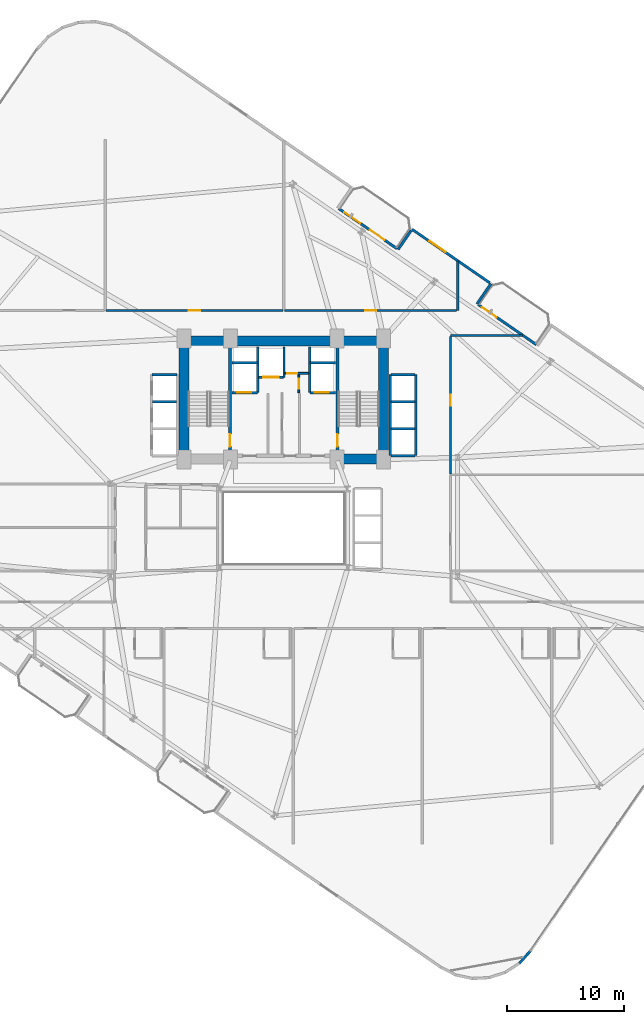
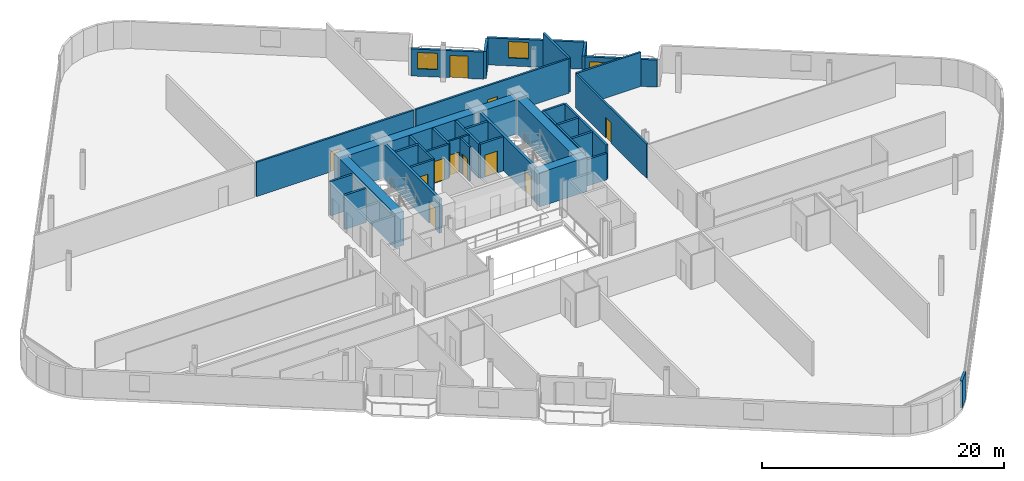
# One storey, part 21 of 26: 35 walls, 12 doors, 2 windows, 14 openings.
"""IFC4 building model written with IfcOpenShell, lengths in metres."""

import ifcopenshell
import ifcopenshell.guid

model = None  # the IFC model being written
_history = None  # IfcOwnerHistory: only IFC2X3 demands one
_inside = {}  # id of a spatial element -> (the spatial element, [elements in it])
_under = {}  # id of a project, library or spatial element -> (it, [spatial elements below it])
_declared = {}  # id of a project -> (the project, [libraries it declares])
_typed = {}  # id of a type object -> (the type object, [elements of that type])
_made_of = {}  # id of a material, layer set ... -> (it, [elements and type objects made of it])


def new_model(schema):
    """Start an empty IFC model of exactly this schema.

    Asked for "IFC4X3", IfcOpenShell would pick the latest addendum, in which some entities
    have other attributes; the version numbers below select the first issue.
    IFC2X3 requires an IfcOwnerHistory on every rooted entity: one is made here for all.
    """
    global model, _history
    if schema == "IFC4X3":
        model = ifcopenshell.file(schema_version=(4, 3, 0, 0))
    else:
        model = ifcopenshell.file(schema=schema)
    _inside.clear()
    _under.clear()
    _declared.clear()
    _typed.clear()
    _made_of.clear()
    _history = None
    if model.schema == "IFC2X3":
        org = make("IfcOrganization", Name="unknown")
        user = make(
            "IfcPersonAndOrganization",
            ThePerson=make("IfcPerson", FamilyName="unknown"),
            TheOrganization=org,
        )
        app = make(
            "IfcApplication",
            ApplicationDeveloper=org,
            Version="unknown",
            ApplicationFullName="unknown",
            ApplicationIdentifier="unknown",
        )
        _history = make(
            "IfcOwnerHistory",
            OwningUser=user,
            OwningApplication=app,
            ChangeAction="ADDED",
            CreationDate=0,
        )
    return model


def make(cls, **values):
    """One entity of the class cls with the attributes given. An attribute that is None is left unset."""
    return model.create_entity(
        cls, **{name: value for name, value in values.items() if value is not None}
    )


def rooted(cls, **values):
    """An entity with a GlobalId (a new one), such as an element, a storey or a relation."""
    return make(cls, GlobalId=ifcopenshell.guid.new(), OwnerHistory=_history, **values)


def si_unit(unit_type, name, prefix=None):
    """IfcSIUnit, for example si_unit("LENGTHUNIT", "METRE", prefix="MILLI")."""
    return make("IfcSIUnit", UnitType=unit_type, Prefix=prefix, Name=name)


def assignment(units):
    """IfcUnitAssignment: the units of a project."""
    return None if units is None else make("IfcUnitAssignment", Units=units)


def point(xyz):
    """IfcCartesianPoint."""
    return None if xyz is None else make("IfcCartesianPoint", Coordinates=xyz)


def direction(xyz):
    """IfcDirection."""
    return None if xyz is None else make("IfcDirection", DirectionRatios=xyz)


def frame(location, z_axis=None, x_axis=None):
    """IfcAxis2Placement3D, a coordinate frame: its origin and axes. An axis left out is left unset."""
    return make(
        "IfcAxis2Placement3D",
        Location=point(location),
        Axis=direction(z_axis),
        RefDirection=direction(x_axis),
    )


def frame_2d(location, x_axis=None):
    """IfcAxis2Placement2D, a coordinate frame in the plane: its origin and x axis."""
    return make(
        "IfcAxis2Placement2D", Location=point(location), RefDirection=direction(x_axis)
    )


def origin():
    """The frame at (0, 0, 0) with its axes left unset."""
    return frame((0.0, 0.0, 0.0))


def place(relative_to, where):
    """IfcLocalPlacement: puts the frame where relative to a parent placement (None: the world)."""
    return make(
        "IfcLocalPlacement", PlacementRelTo=relative_to, RelativePlacement=where
    )


def context(
    kind, dimensions, precision=None, world=None, true_north=None, identifier=None
):
    """IfcGeometricRepresentationContext, for example the 3D "Model" context."""
    return make(
        "IfcGeometricRepresentationContext",
        ContextIdentifier=identifier,
        ContextType=kind,
        CoordinateSpaceDimension=dimensions,
        Precision=precision,
        WorldCoordinateSystem=world,
        TrueNorth=true_north,
    )


def subcontext(parent, identifier, kind, view, scale=None):
    """IfcGeometricRepresentationSubContext, for example "Body" below "Model"."""
    return make(
        "IfcGeometricRepresentationSubContext",
        ContextIdentifier=identifier,
        ContextType=kind,
        ParentContext=parent,
        TargetScale=scale,
        TargetView=view,
    )


def project(units=None, contexts=None):
    """IfcProject with its units and contexts."""
    return rooted(
        "IfcProject",
        Name="project",
        RepresentationContexts=contexts,
        UnitsInContext=assignment(units),
    )


def spatial(cls, under=None, at=None, **own):
    """A site, building, storey or space (cls), placed at a placement, below another one or the project."""
    s = rooted(cls, ObjectPlacement=at, **own)
    if under is not None:
        _under.setdefault(under.id(), (under, []))[1].append(s)
    return s


def profile(cls, at=None, kind="AREA", **sizes):
    """A parametric profile (cls). Its sizes go by their IFC names, for example OverallWidth=200.0."""
    return make(cls, ProfileType=kind, Position=at, **sizes)


def rectangle(**sizes):
    """IfcRectangleProfileDef."""
    return profile("IfcRectangleProfileDef", **sizes)


def extrude(swept, where, along, depth):
    """IfcExtrudedAreaSolid: the profile swept, set in the frame where, extruded along a direction by depth."""
    return make(
        "IfcExtrudedAreaSolid",
        SweptArea=swept,
        Position=where,
        ExtrudedDirection=direction(along),
        Depth=depth,
    )


def shape(context_of_items, identifier, shape_type, items):
    """IfcShapeRepresentation: the items that make up one representation, for example the "Body"."""
    return make(
        "IfcShapeRepresentation",
        ContextOfItems=context_of_items,
        RepresentationIdentifier=identifier,
        RepresentationType=shape_type,
        Items=items,
    )


def material(Name=None, Category=None):
    """IfcMaterial."""
    return make("IfcMaterial", Name=Name, Category=Category)


def layer(
    of_material, thickness, ventilated=None, Name=None, Category=None, Priority=None
):
    """IfcMaterialLayer: one layer of a wall or slab, of a material (None: an air gap)."""
    return make(
        "IfcMaterialLayer",
        Material=of_material,
        LayerThickness=thickness,
        IsVentilated=ventilated,
        Name=Name,
        Category=Category,
        Priority=Priority,
    )


def layer_set(layers, Name=None):
    """IfcMaterialLayerSet."""
    return make("IfcMaterialLayerSet", MaterialLayers=layers, LayerSetName=Name)


def made_of(thing, what):
    """Note that an element or type object is made of a material, layer set ...; save() writes the relation."""
    if what is not None:
        _made_of.setdefault(what.id(), (what, []))[1].append(thing)
    return thing


def type_object(cls, material=None, **own):
    """A type object (cls), such as IfcWallType, which elements share."""
    return made_of(rooted(cls, **own), material)


def element(
    cls,
    number,
    at=None,
    inside=None,
    cuts=None,
    type_object=None,
    material=None,
    context=None,
    identifier="Body",
    shape_type=None,
    held_by="IfcProductDefinitionShape",
    body=None,
    shapes=None,
    **own,
):
    """One element of the class cls, such as IfcWall. Its Tag is "e" and its number.

    at: its placement. inside: the storey or other place that contains it. cuts: it is an
    opening in that element (IfcRelVoidsElement). A single representation is given by context,
    identifier, shape_type and body (its items); several are given by shapes. held_by: the class
    of the entity that holds the representations. save() writes the other relations.
    """
    e = rooted(cls, Tag="e%d" % number, ObjectPlacement=at, **own)
    if body is not None:
        shapes = [shape(context, identifier, shape_type, body)]
    if shapes is not None:
        e.Representation = make(held_by, Representations=shapes)
    if inside is not None:
        _inside.setdefault(inside.id(), (inside, []))[1].append(e)
    if cuts is not None:
        rooted(
            "IfcRelVoidsElement", RelatingBuildingElement=cuts, RelatedOpeningElement=e
        )
    if type_object is not None:
        _typed.setdefault(type_object.id(), (type_object, []))[1].append(e)
    return made_of(e, material)


def fill(opening, filler):
    """IfcRelFillsElement: the door or window that sits in an opening."""
    return rooted(
        "IfcRelFillsElement",
        RelatingOpeningElement=opening,
        RelatedBuildingElement=filler,
    )


def aggregate(whole, parts):
    """IfcRelAggregates: a whole, such as a stair, and the parts it consists of."""
    return rooted("IfcRelAggregates", RelatingObject=whole, RelatedObjects=parts)


def save(model, path):
    """Write the relations noted so far, then the file.

    IfcRelAggregates (storeys below a building ...), IfcRelContainedInSpatialStructure (elements
    in a storey), IfcRelDefinesByType, IfcRelAssociatesMaterial and IfcRelDeclares: one each for
    every whole, place, type object, material and project.
    """
    for whole, parts in _under.values():
        aggregate(whole, parts)
    for where, things in _inside.values():
        rooted(
            "IfcRelContainedInSpatialStructure",
            RelatedElements=things,
            RelatingStructure=where,
        )
    for kind, things in _typed.values():
        rooted("IfcRelDefinesByType", RelatedObjects=things, RelatingType=kind)
    for what, things in _made_of.values():
        rooted("IfcRelAssociatesMaterial", RelatedObjects=things, RelatingMaterial=what)
    for by, libraries in _declared.values():
        rooted("IfcRelDeclares", RelatingContext=by, RelatedDefinitions=libraries)
    model.write(path)


model = new_model("IFC4")

# Units and contexts
model_context = context("Model", 3, precision=1e-05, world=origin(), true_north=direction((0.0, 1.0)))
body_context = subcontext(model_context, "Body", "Model", "MODEL_VIEW")
ifc_project = project(units=[si_unit("LENGTHUNIT", "METRE"), si_unit("AREAUNIT", "SQUARE_METRE"), si_unit("VOLUMEUNIT", "CUBIC_METRE"), si_unit("PLANEANGLEUNIT", "RADIAN"), si_unit("MASSUNIT", "GRAM", prefix="KILO")], contexts=[model_context])

# Site, building, storey
site_placement = place(None, origin())
site = spatial("IfcSite", under=ifc_project, at=site_placement, CompositionType="ELEMENT")
building_placement = place(site_placement, origin())
building = spatial("IfcBuilding", under=site, at=building_placement, Name="Varnelok Gate Tower", CompositionType="ELEMENT")
storey_placement = place(building_placement, frame((0.0, 0.0, 45.5)))
storey = spatial("IfcBuildingStorey", under=building, at=storey_placement, Name="L10", CompositionType="ELEMENT", Elevation=45.5)

# Wall, openings, door, window
ifc_material_1 = material(Name="Concrete C45/55", Category="concrete")
ifc_layer_1 = layer(ifc_material_1, 0.219970703125)
ifc_layer_set_1 = layer_set([ifc_layer_1], Name="Concrete C45/55")
wall_type_1 = type_object("IfcWallType", Name="EW-BALC-220", PredefinedType="SOLIDWALL", material=ifc_layer_set_1)
wall_1_placement = place(storey_placement, frame((43.898193359375, 50.1015625, 0.0), z_axis=(0.0, 0.0, 1.0), x_axis=(0.823534636215, -0.567265989598, 0.0)))
wall_1 = element("IfcWall", 1, at=wall_1_placement, inside=storey, type_object=wall_type_1, Name="L10 North Terrace Envelope Wall 3", PredefinedType="SOLIDWALL", context=body_context, shape_type="SweptSolid", body=[
    extrude(rectangle(XDim=6.0, YDim=0.219970703125, at=frame_2d((3.0, 0.0))), origin(), (0.0, 0.0, 1.0), 2.72998046875),
])
opening_1_placement = place(wall_1_placement, frame((3.2119140625, 0.0, 0.0)))
opening_1 = element("IfcOpeningElement", 2, at=opening_1_placement, cuts=wall_1, Name="Opening BD-1", PredefinedType="OPENING", context=body_context, shape_type="SweptSolid", body=[
    extrude(rectangle(XDim=1.5, YDim=2.25, at=frame_2d((0.75, 1.125))), frame((0.0, 0.119873046875, 0.0), z_axis=(0.0, -1.0, 0.0), x_axis=(1.0, 0.0, 0.0)), (0.0, 0.0, 1.0), 0.239990234375),
])
opening_2_placement = place(wall_1_placement, frame((0.550048828125, 0.0, 0.75)))
opening_2 = element("IfcOpeningElement", 3, at=opening_2_placement, cuts=wall_1, Name="Opening WN3", PredefinedType="OPENING", context=body_context, shape_type="SweptSolid", body=[
    extrude(rectangle(XDim=1.64990234375, YDim=1.64990234375, at=frame_2d((0.824951171875, 0.824951171875))), frame((0.0, 0.119873046875, 0.0), z_axis=(0.0, -1.0, 0.0), x_axis=(1.0, 0.0, 0.0)), (0.0, 0.0, 1.0), 0.239990234375),
])
ifc_material_2 = material(Name="Anodized Aluminum Alloy 6063-T6", Category="aluminium")
door_type_1 = type_object("IfcDoorType", Name="DR-EXT-BALC1500", OperationType="NOTDEFINED", PredefinedType="DOOR", material=ifc_material_2)
door_1_placement = place(opening_1_placement, origin())
door_1 = element("IfcDoor", 4, at=door_1_placement, inside=storey, type_object=door_type_1, Name="L10 North Balcony Glazed Door 3", OperationType="SINGLE_SWING_RIGHT", OverallHeight=2.25, OverallWidth=1.5, PredefinedType="DOOR", context=body_context, shape_type="SweptSolid", body=[
    extrude(rectangle(XDim=1.5, YDim=2.25, at=frame_2d((0.75, 1.125))), frame((0.0, 0.02490234375, 0.0), z_axis=(0.0, -1.0, 0.0), x_axis=(1.0, 0.0, 0.0)), (0.0, 0.0, 1.0), 0.050048828125),
])
fill(opening_1, door_1)
ifc_material_3 = material(Name="Low-E Laminated Double Glazing IGU", Category="glass")
window_type = type_object("IfcWindowType", Name="WN-HTL-1650", PartitioningType="SINGLE_PANEL", PredefinedType="WINDOW", material=ifc_material_3)
window_1_placement = place(opening_2_placement, origin())
window_1 = element("IfcWindow", 5, at=window_1_placement, inside=storey, type_object=window_type, Name="L10 North Vision Window 3.1", OverallHeight=1.64990234375, OverallWidth=1.64990234375, PartitioningType="SINGLE_PANEL", PredefinedType="WINDOW", context=body_context, shape_type="SweptSolid", body=[
    extrude(rectangle(XDim=1.64990234375, YDim=1.64990234375, at=frame_2d((0.824951171875, 0.824951171875))), frame((0.0, 0.030029296875, 0.0), z_axis=(0.0, -1.0, 0.0), x_axis=(1.0, 0.0, 0.0)), (0.0, 0.0, 1.0), 0.06005859375),
])
fill(opening_2, window_1)

# Wall, opening, door
wall_2_placement = place(storey_placement, frame((55.757080078125, 41.932861328125, 0.0), z_axis=(0.0, 0.0, 1.0), x_axis=(0.823534636215, -0.567265989598, 0.0)))
wall_2 = element("IfcWall", 6, at=wall_2_placement, inside=storey, type_object=wall_type_1, Name="L10 North Terrace Envelope Wall 4", PredefinedType="SOLIDWALL", context=body_context, shape_type="SweptSolid", body=[
    extrude(rectangle(XDim=6.0, YDim=0.219970703125, at=frame_2d((3.0, 0.0))), origin(), (0.0, 0.0, 1.0), 2.72998046875),
])
opening_3_placement = place(wall_2_placement, frame((0.39990234375, 0.0, 0.0)))
opening_3 = element("IfcOpeningElement", 7, at=opening_3_placement, cuts=wall_2, Name="Opening BD-1", PredefinedType="OPENING", context=body_context, shape_type="SweptSolid", body=[
    extrude(rectangle(XDim=1.5, YDim=2.25, at=frame_2d((0.75, 1.125))), frame((0.0, 0.119873046875, 0.0), z_axis=(0.0, -1.0, 0.0), x_axis=(1.0, 0.0, 0.0)), (0.0, 0.0, 1.0), 0.239990234375),
])
door_2_placement = place(opening_3_placement, origin())
door_2 = element("IfcDoor", 8, at=door_2_placement, inside=storey, type_object=door_type_1, Name="L10 North Balcony Glazed Door 4", OperationType="SINGLE_SWING_LEFT", OverallHeight=2.25, OverallWidth=1.5, PredefinedType="DOOR", context=body_context, shape_type="SweptSolid", body=[
    extrude(rectangle(XDim=1.5, YDim=2.25, at=frame_2d((0.75, 1.125))), frame((0.0, 0.02490234375, 0.0), z_axis=(0.0, -1.0, 0.0), x_axis=(1.0, 0.0, 0.0)), (0.0, 0.0, 1.0), 0.050048828125),
])
fill(opening_3, door_2)

# Walls
wall_3_placement = place(storey_placement, frame((59.26611328125, -14.13525390625, 0.0), z_axis=(0.0, 0.0, 1.0), x_axis=(0.669866433955, 0.742481623113, 0.0)))
element("IfcWall", 9, at=wall_3_placement, inside=storey, type_object=wall_type_1, Name="L10 Perimeter Facade Closure Wall 19", PredefinedType="SOLIDWALL", context=body_context, shape_type="SweptSolid", body=[
    extrude(rectangle(XDim=1.4052734375, YDim=0.219970703125, at=frame_2d((0.70263671875, 0.0))), origin(), (0.0, 0.0, 1.0), 2.72998046875),
])
wall_4_placement = place(storey_placement, frame((55.652587890625, 41.99267578125, 0.0), z_axis=(0.0, 0.0, 1.0), x_axis=(0.567273696173, 0.823529327729, 0.0)))
element("IfcWall", 10, at=wall_4_placement, inside=storey, type_object=wall_type_1, Name="L10 Perimeter Facade Closure Wall 28", PredefinedType="SOLIDWALL", context=body_context, shape_type="SweptSolid", body=[
    extrude(rectangle(XDim=2.099853515625, YDim=0.219970703125, at=frame_2d((1.0498046875, 0.0))), origin(), (0.0, 0.0, 1.0), 2.72998046875),
])

# Wall, opening, window
wall_5_placement = place(storey_placement, frame((56.740966796875, 43.79296875, 0.0), z_axis=(0.0, 0.0, 1.0), x_axis=(-0.823530942962, 0.56727135128, 0.0)))
wall_5 = element("IfcWall", 11, at=wall_5_placement, inside=storey, type_object=wall_type_1, Name="L10 Perimeter Facade Closure Wall 29", PredefinedType="SOLIDWALL", context=body_context, shape_type="SweptSolid", body=[
    extrude(rectangle(XDim=8.03515625, YDim=0.219970703125, at=frame_2d((4.017578125, 0.0))), origin(), (0.0, 0.0, 1.0), 2.72998046875),
])
opening_4_placement = place(wall_5_placement, frame((4.59716796875, 0.0, 0.800048828125)))
opening_4 = element("IfcOpeningElement", 12, at=opening_4_placement, cuts=wall_5, Name="Opening WN3", PredefinedType="OPENING", context=body_context, shape_type="SweptSolid", body=[
    extrude(rectangle(XDim=1.64990234375, YDim=1.64990234375, at=frame_2d((0.824951171875, 0.824951171875))), frame((0.0, 0.119873046875, 0.0), z_axis=(0.0, -1.0, 0.0), x_axis=(1.0, 0.0, 0.0)), (0.0, 0.0, 1.0), 0.239990234375),
])
window_2_placement = place(opening_4_placement, origin())
window_2 = element("IfcWindow", 13, at=window_2_placement, inside=storey, type_object=window_type, Name="L10 Perimeter Vision Window 29", OverallHeight=1.64990234375, OverallWidth=1.64990234375, PartitioningType="SINGLE_PANEL", PredefinedType="WINDOW", context=body_context, shape_type="SweptSolid", body=[
    extrude(rectangle(XDim=1.64990234375, YDim=1.64990234375, at=frame_2d((0.824951171875, 0.824951171875))), frame((0.0, 0.030029296875, 0.0), z_axis=(0.0, -1.0, 0.0), x_axis=(1.0, 0.0, 0.0)), (0.0, 0.0, 1.0), 0.06005859375),
])
fill(opening_4, window_2)

# Wall
wall_6_placement = place(storey_placement, frame((50.052978515625, 48.248046875, 0.0), z_axis=(0.0, 0.0, 1.0), x_axis=(-0.567273565974, -0.823529417415, 0.0)))
element("IfcWall", 14, at=wall_6_placement, inside=storey, type_object=wall_type_1, Name="L10 Perimeter Facade Closure Wall 30", PredefinedType="SOLIDWALL", context=body_context, shape_type="SweptSolid", body=[
    extrude(rectangle(XDim=1.97509765625, YDim=0.219970703125, at=frame_2d((0.987548828125, 0.0))), origin(), (0.0, 0.0, 1.0), 2.72998046875),
])

# Wall, opening, door
ifc_material_4 = material(Name="Gypsum Plasterboard Acoustic Partition", Category="gypsum")
ifc_layer_2 = layer(ifc_material_4, 0.179931640625)
ifc_layer_set_2 = layer_set([ifc_layer_2], Name="Gypsum Plasterboard Acoustic Partition")
wall_type_2 = type_object("IfcWallType", Name="PW-CORR-180", PredefinedType="PARTITIONING", material=ifc_layer_set_2)
wall_7_placement = place(storey_placement, frame((24.080078125, 41.429931640625, 0.0), z_axis=(0.0, 0.0, 1.0), x_axis=(1.0, 0.0, 0.0)))
wall_7 = element("IfcWall", 15, at=wall_7_placement, inside=storey, type_object=wall_type_2, Name="Interior Partition", PredefinedType="PARTITIONING", context=body_context, shape_type="SweptSolid", body=[
    extrude(rectangle(XDim=15.0400390625, YDim=0.179931640625, at=frame_2d((7.52001953125, 0.0))), origin(), (0.0, 0.0, 1.0), 3.449951171875),
])
opening_5_placement = place(wall_7_placement, frame((7.044921875, 0.0, 0.0)))
opening_5 = element("IfcOpeningElement", 16, at=opening_5_placement, cuts=wall_7, Name="Opening D-I2", PredefinedType="OPENING", context=body_context, shape_type="SweptSolid", body=[
    extrude(rectangle(XDim=0.949951171875, YDim=2.050048828125, at=frame_2d((0.47509765625, 1.02490234375))), frame((0.0, 0.099853515625, 0.0), z_axis=(0.0, -1.0, 0.0), x_axis=(1.0, 0.0, 0.0)), (0.0, 0.0, 1.0), 0.199951171875),
])
ifc_material_5 = material(Name="Engineered Hardwood Timber", Category="wood")
door_type_2 = type_object("IfcDoorType", Name="DR-INT-950", OperationType="NOTDEFINED", PredefinedType="DOOR", material=ifc_material_5)
door_3_placement = place(opening_5_placement, origin())
door_3 = element("IfcDoor", 17, at=door_3_placement, inside=storey, type_object=door_type_2, Name="L10 Executive Business Office 2 Door", OperationType="SINGLE_SWING_LEFT", OverallHeight=2.050048828125, OverallWidth=0.949951171875, PredefinedType="DOOR", context=body_context, shape_type="SweptSolid", body=[
    extrude(rectangle(XDim=0.949951171875, YDim=2.050048828125, at=frame_2d((0.47509765625, 1.02490234375))), frame((0.0, 0.02490234375, 0.0), z_axis=(0.0, -1.0, 0.0), x_axis=(1.0, 0.0, 0.0)), (0.0, 0.0, 1.0), 0.050048828125),
])
fill(opening_5, door_3)

wall_8_placement = place(storey_placement, frame((39.280029296875, 41.429931640625, 0.0), z_axis=(0.0, 0.0, 1.0), x_axis=(1.0, 0.0, 0.0)))
wall_8 = element("IfcWall", 18, at=wall_8_placement, inside=storey, type_object=wall_type_2, Name="Interior Partition", PredefinedType="PARTITIONING", context=body_context, shape_type="SweptSolid", body=[
    extrude(rectangle(XDim=14.639892578125, YDim=0.179931640625, at=frame_2d((7.31982421875, 0.0))), origin(), (0.0, 0.0, 1.0), 3.449951171875),
])
opening_6_placement = place(wall_8_placement, frame((6.844970703125, 0.0, 0.0)))
opening_6 = element("IfcOpeningElement", 19, at=opening_6_placement, cuts=wall_8, Name="Opening D-I2", PredefinedType="OPENING", context=body_context, shape_type="SweptSolid", body=[
    extrude(rectangle(XDim=0.949951171875, YDim=2.050048828125, at=frame_2d((0.47509765625, 1.02490234375))), frame((0.0, 0.099853515625, 0.0), z_axis=(0.0, -1.0, 0.0), x_axis=(1.0, 0.0, 0.0)), (0.0, 0.0, 1.0), 0.199951171875),
])
door_4_placement = place(opening_6_placement, origin())
door_4 = element("IfcDoor", 20, at=door_4_placement, inside=storey, type_object=door_type_2, Name="L10 Hotel Business Center Door", OperationType="SINGLE_SWING_LEFT", OverallHeight=2.050048828125, OverallWidth=0.949951171875, PredefinedType="DOOR", context=body_context, shape_type="SweptSolid", body=[
    extrude(rectangle(XDim=0.949951171875, YDim=2.050048828125, at=frame_2d((0.47509765625, 1.02490234375))), frame((0.0, 0.02490234375, 0.0), z_axis=(0.0, -1.0, 0.0), x_axis=(1.0, 0.0, 0.0)), (0.0, 0.0, 1.0), 0.050048828125),
])
fill(opening_6, door_4)

wall_9_placement = place(storey_placement, frame((53.389892578125, 27.530029296875, 0.0), z_axis=(0.0, 0.0, 1.0), x_axis=(0.0, 1.0, 0.0)))
wall_9 = element("IfcWall", 21, at=wall_9_placement, inside=storey, type_object=wall_type_2, Name="Interior Partition", PredefinedType="PARTITIONING", context=body_context, shape_type="SweptSolid", body=[
    extrude(rectangle(XDim=11.669921875, YDim=0.179931640625, at=frame_2d((5.8349609375, 0.0))), origin(), (0.0, 0.0, 1.0), 3.449951171875),
])
opening_7_placement = place(wall_9_placement, frame((5.800048828125, 0.0, 0.0)))
opening_7 = element("IfcOpeningElement", 22, at=opening_7_placement, cuts=wall_9, Name="Opening D-I3", PredefinedType="OPENING", context=body_context, shape_type="SweptSolid", body=[
    extrude(rectangle(XDim=0.919921875, YDim=2.050048828125, at=frame_2d((0.4599609375, 1.02490234375))), frame((0.0, 0.099853515625, 0.0), z_axis=(0.0, -1.0, 0.0), x_axis=(1.0, 0.0, 0.0)), (0.0, 0.0, 1.0), 0.199951171875),
])
door_type_3 = type_object("IfcDoorType", Name="DR-INT-920", OperationType="NOTDEFINED", PredefinedType="DOOR", material=ifc_material_5)
door_5_placement = place(opening_7_placement, origin())
door_5 = element("IfcDoor", 23, at=door_5_placement, inside=storey, type_object=door_type_3, Name="L10 East Suite 2 Door", OperationType="SINGLE_SWING_RIGHT", OverallHeight=2.050048828125, OverallWidth=0.919921875, PredefinedType="DOOR", context=body_context, shape_type="SweptSolid", body=[
    extrude(rectangle(XDim=0.919921875, YDim=2.050048828125, at=frame_2d((0.4599609375, 1.02490234375))), frame((0.0, 0.02490234375, 0.0), z_axis=(0.0, -1.0, 0.0), x_axis=(1.0, 0.0, 0.0)), (0.0, 0.0, 1.0), 0.050048828125),
])
fill(opening_7, door_5)

# Wall
wall_10_placement = place(storey_placement, frame((53.389892578125, 39.300048828125, 0.0), z_axis=(0.0, 0.0, 1.0), x_axis=(1.0, 0.0, 0.0)))
element("IfcWall", 24, at=wall_10_placement, inside=storey, type_object=wall_type_2, Name="Interior Partition", PredefinedType="PARTITIONING", context=body_context, shape_type="SweptSolid", body=[
    extrude(rectangle(XDim=6.136474609375, YDim=0.179931640625, at=frame_2d((3.068359375, 0.0))), origin(), (0.0, 0.0, 1.0), 3.449951171875),
])

# Wall, opening, door
ifc_layer_3 = layer(ifc_material_4, 0.14990234375)
ifc_layer_set_3 = layer_set([ifc_layer_3], Name="Gypsum Plasterboard Acoustic Partition")
wall_type_3 = type_object("IfcWallType", Name="PW-PART-150", PredefinedType="PARTITIONING", material=ifc_layer_set_3)
wall_11_placement = place(storey_placement, frame((39.300048828125, 36.080078125, 0.0), z_axis=(0.0, 0.0, 1.0), x_axis=(1.0, 0.0, 0.0)))
wall_11 = element("IfcWall", 25, at=wall_11_placement, inside=storey, type_object=wall_type_3, Name="L10 Electrical Closet South Wall", PredefinedType="PARTITIONING", context=body_context, shape_type="SweptSolid", body=[
    extrude(rectangle(XDim=2.02001953125, YDim=0.14990234375, at=frame_2d((1.010009765625, 0.0))), origin(), (0.0, 0.0, 1.0), 3.449951171875),
])
opening_8_placement = place(wall_11_placement, frame((0.179931640625, 0.0, 0.0)))
opening_8 = element("IfcOpeningElement", 26, at=opening_8_placement, cuts=wall_11, Name="Opening D-RS", PredefinedType="OPENING", context=body_context, shape_type="SweptSolid", body=[
    extrude(rectangle(XDim=0.85009765625, YDim=2.050048828125, at=frame_2d((0.425048828125, 1.02490234375))), frame((0.0, 0.0849609375, 0.0), z_axis=(0.0, -1.0, 0.0), x_axis=(1.0, 0.0, 0.0)), (0.0, 0.0, 1.0), 0.169921875),
])
ifc_material_6 = material(Name="Galvanized Steel Grade S350GD", Category="steel")
door_type_4 = type_object("IfcDoorType", Name="DR-RISER-850", OperationType="NOTDEFINED", PredefinedType="DOOR", material=ifc_material_6)
door_6_placement = place(opening_8_placement, origin())
door_6 = element("IfcDoor", 27, at=door_6_placement, inside=storey, type_object=door_type_4, Name="L10 Electrical Closet Door", OperationType="SINGLE_SWING_RIGHT", OverallHeight=2.050048828125, OverallWidth=0.85009765625, PredefinedType="DOOR", context=body_context, shape_type="SweptSolid", body=[
    extrude(rectangle(XDim=0.85009765625, YDim=2.050048828125, at=frame_2d((0.425048828125, 1.02490234375))), frame((0.0, 0.02490234375, 0.0), z_axis=(0.0, -1.0, 0.0), x_axis=(1.0, 0.0, 0.0)), (0.0, 0.0, 1.0), 0.050048828125),
])
fill(opening_8, door_6)

wall_12_placement = place(storey_placement, frame((40.47998046875, 34.43994140625, 0.0), z_axis=(0.0, 0.0, 1.0), x_axis=(0.0, 1.0, 0.0)))
wall_12 = element("IfcWall", 28, at=wall_12_placement, inside=storey, type_object=wall_type_3, Name="L10 Telecoms Closet West Wall", PredefinedType="PARTITIONING", context=body_context, shape_type="SweptSolid", body=[
    extrude(rectangle(XDim=1.52001953125, YDim=0.14990234375, at=frame_2d((0.760009765625, 0.0))), origin(), (0.0, 0.0, 1.0), 3.449951171875),
])
opening_9_placement = place(wall_12_placement, frame((0.320068359375, 0.0, 0.0)))
opening_9 = element("IfcOpeningElement", 29, at=opening_9_placement, cuts=wall_12, Name="Opening D-RS", PredefinedType="OPENING", context=body_context, shape_type="SweptSolid", body=[
    extrude(rectangle(XDim=0.85009765625, YDim=2.050048828125, at=frame_2d((0.425048828125, 1.02490234375))), frame((0.0, 0.0849609375, 0.0), z_axis=(0.0, -1.0, 0.0), x_axis=(1.0, 0.0, 0.0)), (0.0, 0.0, 1.0), 0.169921875),
])
door_7_placement = place(opening_9_placement, origin())
door_7 = element("IfcDoor", 30, at=door_7_placement, inside=storey, type_object=door_type_4, Name="L10 Telecoms Closet Door", OperationType="SINGLE_SWING_LEFT", OverallHeight=2.050048828125, OverallWidth=0.85009765625, PredefinedType="DOOR", context=body_context, shape_type="SweptSolid", body=[
    extrude(rectangle(XDim=0.85009765625, YDim=2.050048828125, at=frame_2d((0.425048828125, 1.02490234375))), frame((0.0, 0.02490234375, 0.0), z_axis=(0.0, -1.0, 0.0), x_axis=(1.0, 0.0, 0.0)), (0.0, 0.0, 1.0), 0.050048828125),
])
fill(opening_9, door_7)

# Wall
ifc_layer_4 = layer(ifc_material_4, 0.205078125)
ifc_layer_set_4 = layer_set([ifc_layer_4], Name="Gypsum Plasterboard Acoustic Partition")
wall_type_4 = type_object("IfcWallType", Name="PW-PARTY-200", PredefinedType="PARTITIONING", material=ifc_layer_set_4)
wall_13_placement = place(storey_placement, frame((54.0, 41.429931640625, 0.0), z_axis=(0.0, 0.0, 1.0), x_axis=(0.0, 1.0, 0.0)))
element("IfcWall", 31, at=wall_13_placement, inside=storey, type_object=wall_type_4, Name="L10 North Party Wall 3", PredefinedType="PARTITIONING", context=body_context, shape_type="SweptSolid", body=[
    extrude(rectangle(XDim=4.226806640625, YDim=0.205078125, at=frame_2d((2.11328125, 0.0))), origin(), (0.0, 0.0, 1.0), 3.449951171875),
])

# Wall, opening, door
ifc_material_7 = material(Name="Concrete C35/45", Category="concrete")
ifc_layer_5 = layer(ifc_material_7, 0.199951171875)
ifc_layer_set_5 = layer_set([ifc_layer_5], Name="Concrete C35/45")
wall_type_5 = type_object("IfcWallType", Name="PW-SHAFT-200", PredefinedType="PARTITIONING", material=ifc_layer_set_5)
wall_14_placement = place(storey_placement, frame((34.800048828125, 34.43994140625, 0.0), z_axis=(0.0, 0.0, 1.0), x_axis=(1.0, 0.0, 0.0)))
wall_14 = element("IfcWall", 32, at=wall_14_placement, inside=storey, type_object=wall_type_5, Name="L10 FF1 Shaft Front Wall", PredefinedType="PARTITIONING", context=body_context, shape_type="SweptSolid", body=[
    extrude(rectangle(XDim=2.179931640625, YDim=0.199951171875, at=frame_2d((1.08984375, 0.0))), origin(), (0.0, 0.0, 1.0), 3.449951171875),
])
opening_10_placement = place(wall_14_placement, frame((0.419921875, 0.0, 0.0)))
opening_10 = element("IfcOpeningElement", 33, at=opening_10_placement, cuts=wall_14, Name="Opening LD-FF1", PredefinedType="OPENING", context=body_context, shape_type="SweptSolid", body=[
    extrude(rectangle(XDim=1.199951171875, YDim=2.199951171875, at=frame_2d((0.60009765625, 1.10009765625))), frame((0.0, 0.10986328125, 0.0), z_axis=(0.0, -1.0, 0.0), x_axis=(1.0, 0.0, 0.0)), (0.0, 0.0, 1.0), 0.219970703125),
])
door_type_5 = type_object("IfcDoorType", Name="DR-LIFT-FF1200", OperationType="SLIDING_TO_LEFT", PredefinedType="DOOR", material=ifc_material_6)
door_8_placement = place(opening_10_placement, origin())
door_8 = element("IfcDoor", 34, at=door_8_placement, inside=storey, type_object=door_type_5, Name="L10 Firefighting Lift Landing Door LD-FF1", OperationType="SLIDING_TO_LEFT", OverallHeight=2.199951171875, OverallWidth=1.199951171875, PredefinedType="DOOR", context=body_context, shape_type="SweptSolid", body=[
    extrude(rectangle(XDim=1.199951171875, YDim=2.199951171875, at=frame_2d((0.60009765625, 1.10009765625))), frame((0.0, 0.02490234375, 0.0), z_axis=(0.0, -1.0, 0.0), x_axis=(1.0, 0.0, 0.0)), (0.0, 0.0, 1.0), 0.050048828125),
])
fill(opening_10, door_8)

# Walls
wall_15_placement = place(storey_placement, frame((34.800048828125, 36.97998046875, 0.0), z_axis=(0.0, 0.0, 1.0), x_axis=(1.0, 0.0, 0.0)))
element("IfcWall", 35, at=wall_15_placement, inside=storey, type_object=wall_type_5, Name="L10 FF1 Shaft North Wall", PredefinedType="PARTITIONING", context=body_context, shape_type="SweptSolid", body=[
    extrude(rectangle(XDim=2.179931640625, YDim=0.199951171875, at=frame_2d((1.08984375, 0.0))), origin(), (0.0, 0.0, 1.0), 3.449951171875),
])
wall_16_placement = place(storey_placement, frame((37.0, 34.43994140625, 0.0), z_axis=(0.0, 0.0, 1.0), x_axis=(0.0, 1.0, 0.0)))
element("IfcWall", 36, at=wall_16_placement, inside=storey, type_object=wall_type_5, Name="L10 FF1 Shaft Side Wall", PredefinedType="PARTITIONING", context=body_context, shape_type="SweptSolid", body=[
    extrude(rectangle(XDim=3.900146484375, YDim=0.199951171875, at=frame_2d((1.9501953125, 0.0))), origin(), (0.0, 0.0, 1.0), 3.449951171875),
])

# Wall, opening, door
wall_17_placement = place(storey_placement, frame((41.419921875, 34.43994140625, 0.0), z_axis=(0.0, 0.0, 1.0), x_axis=(1.0, 0.0, 0.0)))
wall_17 = element("IfcWall", 37, at=wall_17_placement, inside=storey, type_object=wall_type_5, Name="L10 FF2 Shaft Front Wall", PredefinedType="PARTITIONING", context=body_context, shape_type="SweptSolid", body=[
    extrude(rectangle(XDim=2.18017578125, YDim=0.199951171875, at=frame_2d((1.090087890625, 0.0))), origin(), (0.0, 0.0, 1.0), 3.449951171875),
])
opening_11_placement = place(wall_17_placement, frame((0.419921875, 0.0, 0.0)))
opening_11 = element("IfcOpeningElement", 38, at=opening_11_placement, cuts=wall_17, Name="Opening LD-FF2", PredefinedType="OPENING", context=body_context, shape_type="SweptSolid", body=[
    extrude(rectangle(XDim=1.199951171875, YDim=2.199951171875, at=frame_2d((0.60009765625, 1.10009765625))), frame((0.0, 0.10986328125, 0.0), z_axis=(0.0, -1.0, 0.0), x_axis=(1.0, 0.0, 0.0)), (0.0, 0.0, 1.0), 0.219970703125),
])
door_9_placement = place(opening_11_placement, origin())
door_9 = element("IfcDoor", 39, at=door_9_placement, inside=storey, type_object=door_type_5, Name="L10 Firefighting Lift Landing Door LD-FF2", OperationType="SLIDING_TO_LEFT", OverallHeight=2.199951171875, OverallWidth=1.199951171875, PredefinedType="DOOR", context=body_context, shape_type="SweptSolid", body=[
    extrude(rectangle(XDim=1.199951171875, YDim=2.199951171875, at=frame_2d((0.60009765625, 1.10009765625))), frame((0.0, 0.02490234375, 0.0), z_axis=(0.0, -1.0, 0.0), x_axis=(1.0, 0.0, 0.0)), (0.0, 0.0, 1.0), 0.050048828125),
])
fill(opening_11, door_9)

# Walls
wall_18_placement = place(storey_placement, frame((41.419921875, 36.97998046875, 0.0), z_axis=(0.0, 0.0, 1.0), x_axis=(1.0, 0.0, 0.0)))
element("IfcWall", 40, at=wall_18_placement, inside=storey, type_object=wall_type_5, Name="L10 FF2 Shaft North Wall", PredefinedType="PARTITIONING", context=body_context, shape_type="SweptSolid", body=[
    extrude(rectangle(XDim=2.18017578125, YDim=0.199951171875, at=frame_2d((1.090087890625, 0.0))), origin(), (0.0, 0.0, 1.0), 3.449951171875),
])
wall_19_placement = place(storey_placement, frame((41.39990234375, 34.43994140625, 0.0), z_axis=(0.0, 0.0, 1.0), x_axis=(0.0, 1.0, 0.0)))
element("IfcWall", 41, at=wall_19_placement, inside=storey, type_object=wall_type_5, Name="L10 FF2 Shaft Side Wall", PredefinedType="PARTITIONING", context=body_context, shape_type="SweptSolid", body=[
    extrude(rectangle(XDim=3.900146484375, YDim=0.199951171875, at=frame_2d((1.9501953125, 0.0))), origin(), (0.0, 0.0, 1.0), 3.449951171875),
])

# Wall, opening, door
wall_20_placement = place(storey_placement, frame((37.06005859375, 35.75, 0.0), z_axis=(0.0, 0.0, 1.0), x_axis=(1.0, 0.0, 0.0)))
wall_20 = element("IfcWall", 42, at=wall_20_placement, inside=storey, type_object=wall_type_5, Name="L10 SV1 Shaft Front Wall", PredefinedType="PARTITIONING", context=body_context, shape_type="SweptSolid", body=[
    extrude(rectangle(XDim=2.119873046875, YDim=0.199951171875, at=frame_2d((1.06005859375, 0.0))), origin(), (0.0, 0.0, 1.0), 3.449951171875),
])
opening_12_placement = place(wall_20_placement, frame((0.39990234375, 0.0, 0.0)))
opening_12 = element("IfcOpeningElement", 43, at=opening_12_placement, cuts=wall_20, Name="Opening LD-SV1", PredefinedType="OPENING", context=body_context, shape_type="SweptSolid", body=[
    extrude(rectangle(XDim=1.300048828125, YDim=2.199951171875, at=frame_2d((0.64990234375, 1.10009765625))), frame((0.0, 0.10986328125, 0.0), z_axis=(0.0, -1.0, 0.0), x_axis=(1.0, 0.0, 0.0)), (0.0, 0.0, 1.0), 0.219970703125),
])
door_type_6 = type_object("IfcDoorType", Name="DR-LIFT-SV1300", OperationType="SLIDING_TO_LEFT", PredefinedType="DOOR", material=ifc_material_6)
door_10_placement = place(opening_12_placement, origin())
door_10 = element("IfcDoor", 44, at=door_10_placement, inside=storey, type_object=door_type_6, Name="L10 Service Lift Landing Door LD-SV1", OperationType="SLIDING_TO_LEFT", OverallHeight=2.199951171875, OverallWidth=1.300048828125, PredefinedType="DOOR", context=body_context, shape_type="SweptSolid", body=[
    extrude(rectangle(XDim=1.300048828125, YDim=2.199951171875, at=frame_2d((0.64990234375, 1.10009765625))), frame((0.0, 0.02490234375, 0.0), z_axis=(0.0, -1.0, 0.0), x_axis=(1.0, 0.0, 0.0)), (0.0, 0.0, 1.0), 0.050048828125),
])
fill(opening_12, door_10)

# Walls
wall_21_placement = place(storey_placement, frame((39.219970703125, 35.75, 0.0), z_axis=(0.0, 0.0, 1.0), x_axis=(0.0, 1.0, 0.0)))
element("IfcWall", 45, at=wall_21_placement, inside=storey, type_object=wall_type_5, Name="L10 SV1 Shaft East Wall", PredefinedType="PARTITIONING", context=body_context, shape_type="SweptSolid", body=[
    extrude(rectangle(XDim=2.590087890625, YDim=0.199951171875, at=frame_2d((1.294921875, 0.0))), origin(), (0.0, 0.0, 1.0), 3.449951171875),
])
wall_22_placement = place(storey_placement, frame((28.02001953125, 33.675048828125, 0.0), z_axis=(0.0, 0.0, 1.0), x_axis=(1.0, 0.0, 0.0)))
element("IfcWall", 46, at=wall_22_placement, inside=storey, type_object=wall_type_5, Name="L10 PL2 Divider", PredefinedType="PARTITIONING", context=body_context, shape_type="SweptSolid", body=[
    extrude(rectangle(XDim=2.06005859375, YDim=0.199951171875, at=frame_2d((1.030029296875, 0.0))), origin(), (0.0, 0.0, 1.0), 3.449951171875),
])
wall_23_placement = place(storey_placement, frame((28.0, 35.969970703125, 0.0), z_axis=(0.0, 0.0, 1.0), x_axis=(1.0, 0.0, 0.0)))
element("IfcWall", 47, at=wall_23_placement, inside=storey, type_object=wall_type_5, Name="L10 PL Bank North Wall", PredefinedType="PARTITIONING", context=body_context, shape_type="SweptSolid", body=[
    extrude(rectangle(XDim=2.10009765625, YDim=0.199951171875, at=frame_2d((1.050048828125, 0.0))), origin(), (0.0, 0.0, 1.0), 3.449951171875),
])
for number, where, z_axis, x_axis, name in (
    (48, (48.320068359375, 31.375, 0.0), (0.0, 0.0, 1.0), (1.0, 0.0, 0.0), "L10 PM1 Divider"),
    (49, (48.320068359375, 33.675048828125, 0.0), (0.0, 0.0, 1.0), (1.0, 0.0, 0.0), "L10 PM2 Divider"),
):
    element("IfcWall", number, at=place(storey_placement, frame(where, z_axis=z_axis, x_axis=x_axis)), inside=storey, type_object=wall_type_5, Name=name, PredefinedType="PARTITIONING", context=body_context, shape_type="SweptSolid", body=[
        extrude(rectangle(XDim=2.059814453125, YDim=0.199951171875, at=frame_2d((1.02978515625, 0.0))), origin(), (0.0, 0.0, 1.0), 3.449951171875),
    ])
wall_24_placement = place(storey_placement, frame((48.320068359375, 29.080078125, 0.0), z_axis=(0.0, 0.0, 1.0), x_axis=(1.0, 0.0, 0.0)))
element("IfcWall", 50, at=wall_24_placement, inside=storey, type_object=wall_type_5, Name="L10 PM Bank South Wall", PredefinedType="PARTITIONING", context=body_context, shape_type="SweptSolid", body=[
    extrude(rectangle(XDim=2.059814453125, YDim=0.199951171875, at=frame_2d((1.02978515625, 0.0))), origin(), (0.0, 0.0, 1.0), 2.662109375),
])
wall_25_placement = place(storey_placement, frame((48.320068359375, 35.969970703125, 0.0), z_axis=(0.0, 0.0, 1.0), x_axis=(1.0, 0.0, 0.0)))
element("IfcWall", 51, at=wall_25_placement, inside=storey, type_object=wall_type_5, Name="L10 PM Bank North Wall", PredefinedType="PARTITIONING", context=body_context, shape_type="SweptSolid", body=[
    extrude(rectangle(XDim=2.059814453125, YDim=0.199951171875, at=frame_2d((1.02978515625, 0.0))), origin(), (0.0, 0.0, 1.0), 3.449951171875),
])
for number, where, z_axis, x_axis, name in (
    (52, (48.280029296875, 29.080078125, 0.0), (0.0, 0.0, 1.0), (0.0, 1.0, 0.0), "L10 PM Bank Back Wall"),
    (53, (50.43994140625, 29.080078125, 0.0), (0.0, 0.0, 1.0), (0.0, 1.0, 0.0), "L10 PM Bank Front Wall"),
):
    element("IfcWall", number, at=place(storey_placement, frame(where, z_axis=z_axis, x_axis=x_axis)), inside=storey, type_object=wall_type_5, Name=name, PredefinedType="PARTITIONING", context=body_context, shape_type="SweptSolid", body=[
        extrude(rectangle(XDim=6.889892578125, YDim=0.199951171875, at=frame_2d((3.44482421875, 0.0))), origin(), (0.0, 0.0, 1.0), 3.449951171875),
    ])
ifc_material_8 = material(Name="Concrete C70/85", Category="concrete")
ifc_layer_6 = layer(ifc_material_8, 0.85009765625)
ifc_layer_set_6 = layer_set([ifc_layer_6], Name="Concrete C70/85")
wall_type_6 = type_object("IfcWallType", Name="SW-CORE-850", PredefinedType="SHEAR", material=ifc_layer_set_6)
wall_26_placement = place(storey_placement, frame((30.280029296875, 38.844970703125, 0.0), z_axis=(0.0, 0.0, 1.0), x_axis=(1.0, 0.0, 0.0)))
element("IfcWall", 54, at=wall_26_placement, inside=storey, type_object=wall_type_6, Name="L10 Rear Core North Shear Wall", PredefinedType="SHEAR", context=body_context, shape_type="SweptSolid", body=[
    extrude(rectangle(XDim=17.840087890625, YDim=0.85009765625, at=frame_2d((8.919921875, 0.0))), origin(), (0.0, 0.0, 1.0), 3.449951171875),
])
for number, where, z_axis, x_axis, name in (
    (55, (30.705078125, 29.199951171875, 0.0), (0.0, 0.0, 1.0), (0.0, 1.0, 0.0), "L10 Rear Core West Shear Wall"),
    (56, (47.695068359375, 29.199951171875, 0.0), (0.0, 0.0, 1.0), (0.0, 1.0, 0.0), "L10 Rear Core East Shear Wall"),
):
    element("IfcWall", number, at=place(storey_placement, frame(where, z_axis=z_axis, x_axis=x_axis)), inside=storey, type_object=wall_type_6, Name=name, PredefinedType="SHEAR", context=body_context, shape_type="SweptSolid", body=[
        extrude(rectangle(XDim=9.219970703125, YDim=0.85009765625, at=frame_2d((4.60986328125, 0.0))), origin(), (0.0, 0.0, 1.0), 3.449951171875),
    ])
wall_27_placement = place(storey_placement, frame((43.60009765625, 28.77490234375, 0.0), z_axis=(0.0, 0.0, 1.0), x_axis=(1.0, 0.0, 0.0)))
element("IfcWall", 57, at=wall_27_placement, inside=storey, type_object=wall_type_6, Name="L10 Rear Core South-East Shear Wall", PredefinedType="SHEAR", context=body_context, shape_type="SweptSolid", body=[
    extrude(rectangle(XDim=4.52001953125, YDim=0.85009765625, at=frame_2d((2.260009765625, 0.0))), origin(), (0.0, 0.0, 1.0), 3.449951171875),
])

# Wall, opening, door
ifc_material_9 = material(Name="Concrete C60/75", Category="concrete")
ifc_layer_7 = layer(ifc_material_9, 0.25)
ifc_layer_set_7 = layer_set([ifc_layer_7], Name="Concrete C60/75")
wall_type_7 = type_object("IfcWallType", Name="SW-SHAFT-250", PredefinedType="SHEAR", material=ifc_layer_set_7)
wall_28_placement = place(storey_placement, frame((34.639892578125, 29.199951171875, 0.0), z_axis=(0.0, 0.0, 1.0), x_axis=(0.0, 1.0, 0.0)))
wall_28 = element("IfcWall", 58, at=wall_28_placement, inside=storey, type_object=wall_type_7, Name="L10 Stair ST-1 East Shear Wall", PredefinedType="SHEAR", context=body_context, shape_type="SweptSolid", body=[
    extrude(rectangle(XDim=9.219970703125, YDim=0.25, at=frame_2d((4.60986328125, 0.0))), origin(), (0.0, 0.0, 1.0), 3.449951171875),
])
opening_13_placement = place(wall_28_placement, frame((0.64990234375, 0.0, 0.0)))
opening_13 = element("IfcOpeningElement", 59, at=opening_13_placement, cuts=wall_28, Name="Opening D-ST", PredefinedType="OPENING", context=body_context, shape_type="SweptSolid", body=[
    extrude(rectangle(XDim=1.050048828125, YDim=2.14990234375, at=frame_2d((0.52490234375, 1.074951171875))), frame((0.0, 0.135009765625, 0.0), z_axis=(0.0, -1.0, 0.0), x_axis=(1.0, 0.0, 0.0)), (0.0, 0.0, 1.0), 0.27001953125),
])
door_type_7 = type_object("IfcDoorType", Name="DR-STAIR-1050", OperationType="NOTDEFINED", PredefinedType="DOOR", material=ifc_material_6)
door_11_placement = place(opening_13_placement, origin())
door_11 = element("IfcDoor", 60, at=door_11_placement, inside=storey, type_object=door_type_7, Name="L10 Exit Stair ST-1 Fire Door", OperationType="SINGLE_SWING_LEFT", OverallHeight=2.14990234375, OverallWidth=1.050048828125, PredefinedType="DOOR", context=body_context, shape_type="SweptSolid", body=[
    extrude(rectangle(XDim=1.050048828125, YDim=2.14990234375, at=frame_2d((0.52490234375, 1.074951171875))), frame((0.0, 0.02490234375, 0.0), z_axis=(0.0, -1.0, 0.0), x_axis=(1.0, 0.0, 0.0)), (0.0, 0.0, 1.0), 0.050048828125),
])
fill(opening_13, door_11)

wall_29_placement = place(storey_placement, frame((43.760009765625, 29.199951171875, 0.0), z_axis=(0.0, 0.0, 1.0), x_axis=(0.0, 1.0, 0.0)))
wall_29 = element("IfcWall", 61, at=wall_29_placement, inside=storey, type_object=wall_type_7, Name="L10 Stair ST-2 West Shear Wall", PredefinedType="SHEAR", context=body_context, shape_type="SweptSolid", body=[
    extrude(rectangle(XDim=9.219970703125, YDim=0.25, at=frame_2d((4.60986328125, 0.0))), origin(), (0.0, 0.0, 1.0), 3.449951171875),
])
opening_14_placement = place(wall_29_placement, frame((0.64990234375, 0.0, 0.0)))
opening_14 = element("IfcOpeningElement", 62, at=opening_14_placement, cuts=wall_29, Name="Opening D-ST", PredefinedType="OPENING", context=body_context, shape_type="SweptSolid", body=[
    extrude(rectangle(XDim=1.050048828125, YDim=2.14990234375, at=frame_2d((0.52490234375, 1.074951171875))), frame((0.0, 0.135009765625, 0.0), z_axis=(0.0, -1.0, 0.0), x_axis=(1.0, 0.0, 0.0)), (0.0, 0.0, 1.0), 0.27001953125),
])
door_12_placement = place(opening_14_placement, origin())
door_12 = element("IfcDoor", 63, at=door_12_placement, inside=storey, type_object=door_type_7, Name="L10 Exit Stair ST-2 Fire Door", OperationType="SINGLE_SWING_RIGHT", OverallHeight=2.14990234375, OverallWidth=1.050048828125, PredefinedType="DOOR", context=body_context, shape_type="SweptSolid", body=[
    extrude(rectangle(XDim=1.050048828125, YDim=2.14990234375, at=frame_2d((0.52490234375, 1.074951171875))), frame((0.0, 0.02490234375, 0.0), z_axis=(0.0, -1.0, 0.0), x_axis=(1.0, 0.0, 0.0)), (0.0, 0.0, 1.0), 0.050048828125),
])
fill(opening_14, door_12)

save(model, "model.ifc")
